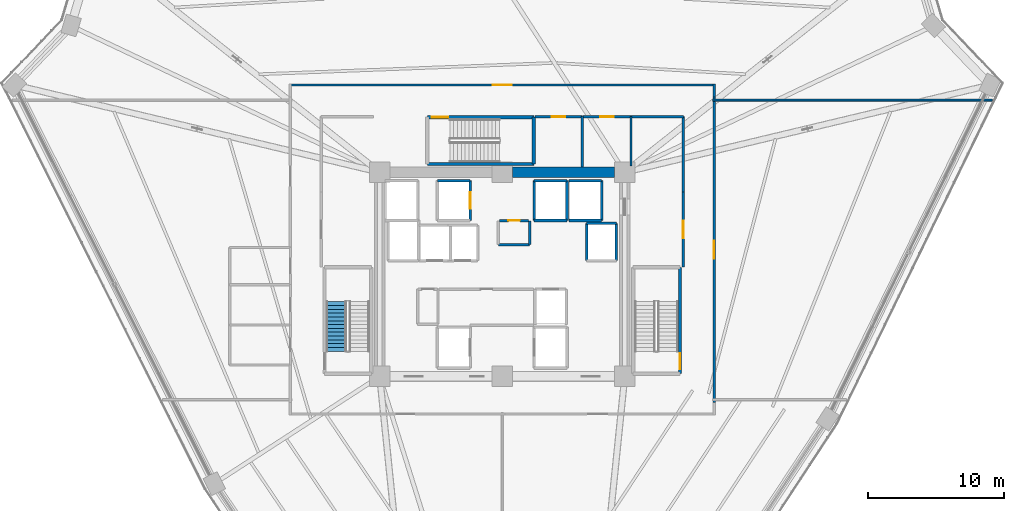
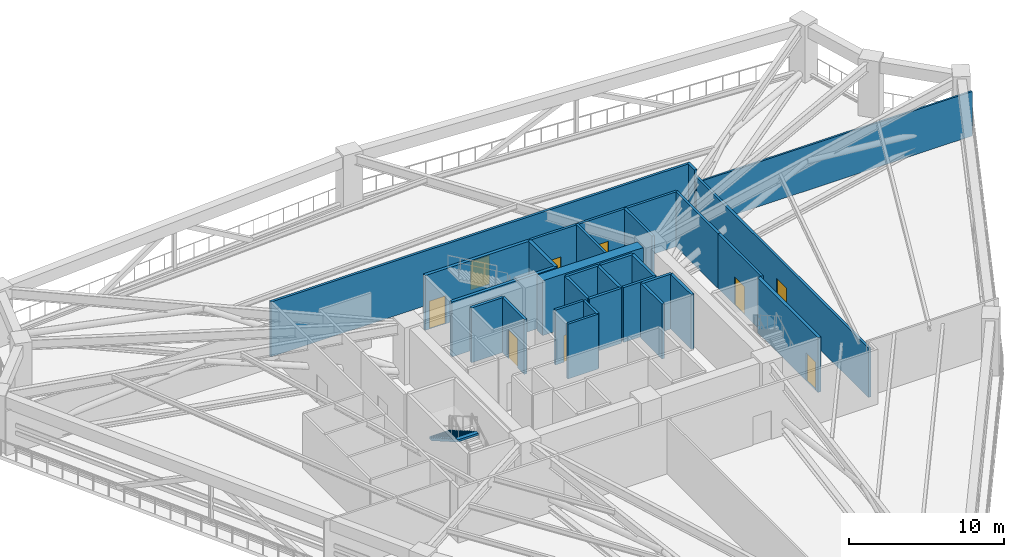
# One storey, part 17 of 23: 31 walls, 9 doors, 1 stair flight, 9 openings, 1 element without a shape of its own.
"""IFC4 building model written with IfcOpenShell, lengths in metres."""

from ifc_helpers import new_model, si_unit, direction, frame, frame_2d, origin, place, context, subcontext, project, spatial, polyline, rectangle, outline, extrude, source, transform, mapped, material, layer, layer_set, type_object, element, fill, aggregate, save


model = new_model("IFC4")

# Units and contexts
model_context = context("Model", 3, precision=1e-05, world=origin(), true_north=direction((0.0, 1.0)))
body_context = subcontext(model_context, "Body", "Model", "MODEL_VIEW")
ifc_project = project(units=[si_unit("LENGTHUNIT", "METRE"), si_unit("AREAUNIT", "SQUARE_METRE"), si_unit("VOLUMEUNIT", "CUBIC_METRE"), si_unit("PLANEANGLEUNIT", "RADIAN"), si_unit("MASSUNIT", "GRAM", prefix="KILO")], contexts=[model_context])

# Site, building, storey
site_placement = place(None, origin())
site = spatial("IfcSite", under=ifc_project, at=site_placement, CompositionType="ELEMENT")
building_placement = place(site_placement, origin())
building = spatial("IfcBuilding", under=site, at=building_placement, Name="Liaohun Quay Tower", CompositionType="ELEMENT")
storey_placement = place(building_placement, frame((0.0, 0.0, 139.5)))
storey = spatial("IfcBuildingStorey", under=building, at=storey_placement, Name="L36", CompositionType="ELEMENT", Elevation=139.5)

# Wall
ifc_material_1 = material(Name="Concrete C60", Category="concrete")
ifc_layer_1 = layer(ifc_material_1, 0.75, Name="Concrete C60", Category="concrete")
ifc_layer_set_1 = layer_set([ifc_layer_1], Name="Concrete C60")
wall_type_1 = type_object("IfcWallType", Name="WAL-COR-Z2", PredefinedType="SHEAR", material=ifc_layer_set_1)
wall_1_placement = place(storey_placement, frame((60.75, 61.5, 0.0), z_axis=(0.0, 0.0, 1.0), x_axis=(1.0, 0.0, 0.0)))
element("IfcWall", 1, at=wall_1_placement, inside=storey, type_object=wall_type_1, Name="L36 Central Core Shear Wall N-E", PredefinedType="SHEAR", context=body_context, shape_type="SweptSolid", body=[
    extrude(rectangle(XDim=7.5, YDim=0.75, at=frame_2d((3.75, 0.0))), origin(), (0.0, 0.0, 1.0), 4.320068359375),
])

# Wall, opening, door
ifc_material_2 = material(Name="Autoclaved aerated concrete blockwork", Category="masonry")
ifc_layer_2 = layer(ifc_material_2, 0.179931640625, Name="Autoclaved aerated concrete blockwork", Category="masonry")
ifc_layer_set_2 = layer_set([ifc_layer_2], Name="Autoclaved aerated concrete blockwork")
wall_type_2 = type_object("IfcWallType", Name="WAL-PRT-COR", PredefinedType="PARTITIONING", material=ifc_layer_set_2)
wall_2_placement = place(storey_placement, frame((59.81005859375, 57.949951171875, 0.0), z_axis=(0.0, 0.0, 1.0), x_axis=(1.0, 0.0, 0.0)))
wall_2 = element("IfcWall", 2, at=wall_2_placement, inside=storey, type_object=wall_type_2, Name="L36 Interior Partition Wall 002", PredefinedType="PARTITIONING", context=body_context, shape_type="SweptSolid", body=[
    extrude(rectangle(XDim=2.10986328125, YDim=0.179931640625, at=frame_2d((1.054931640625, 0.0))), origin(), (0.0, 0.0, 1.0), 4.320068359375),
])
shared_shape_1 = source(origin(), body_context, "Body", "SweptSolid", [
    extrude(rectangle(XDim=0.85009765625, YDim=2.10009765625, at=frame_2d((0.425048828125, 1.050048828125))), frame((0.0, 0.099853515625, 0.0), z_axis=(0.0, -1.0, 0.0), x_axis=(1.0, 0.0, 0.0)), (0.0, 0.0, 1.0), 0.199951171875),
])
opening_1_placement = place(wall_2_placement, frame((0.635009765625, 0.0, 0.0)))
opening_1 = element("IfcOpeningElement", 3, at=opening_1_placement, cuts=wall_2, Name="Opening AD1", PredefinedType="OPENING", context=body_context, shape_type="MappedRepresentation", body=[
    mapped(shared_shape_1, transform((0.0, 0.0, 0.0), x_axis=(1.0, 0.0, 0.0), y_axis=(0.0, 1.0, 0.0), z_axis=(0.0, 0.0, 1.0), scale=1.0)),
])
ifc_material_3 = material(Name="Steel riser inspection fire door", Category="steel")
door_type_1 = type_object("IfcDoorType", Name="DOR-SHF-850", OperationType="NOTDEFINED", PredefinedType="DOOR", material=ifc_material_3)
shared_shape_2 = source(origin(), body_context, "Body", "SweptSolid", [
    extrude(rectangle(XDim=0.85009765625, YDim=2.10009765625, at=frame_2d((0.425048828125, 1.050048828125))), frame((0.0, 0.02490234375, 0.0), z_axis=(0.0, -1.0, 0.0), x_axis=(1.0, 0.0, 0.0)), (0.0, 0.0, 1.0), 0.050048828125),
])
door_1_placement = place(opening_1_placement, origin())
door_1 = element("IfcDoor", 4, at=door_1_placement, inside=storey, type_object=door_type_1, Name="L36 Core Janitor and Cleaner Store Door", OperationType="SINGLE_SWING_RIGHT", OverallHeight=2.10009765625, OverallWidth=0.85009765625, PredefinedType="DOOR", context=body_context, shape_type="MappedRepresentation", body=[
    mapped(shared_shape_2, transform((0.0, 0.0, 0.0), x_axis=(1.0, 0.0, 0.0), y_axis=(0.0, 1.0, 0.0), z_axis=(0.0, 0.0, 1.0), scale=1.0)),
])
fill(opening_1, door_1)

wall_3_placement = place(storey_placement, frame((62.389892578125, 65.580078125, 0.0), z_axis=(0.0, 0.0, 1.0), x_axis=(1.0, 0.0, 0.0)))
wall_3 = element("IfcWall", 5, at=wall_3_placement, inside=storey, type_object=wall_type_2, Name="L36 Interior Partition Wall 007", PredefinedType="PARTITIONING", context=body_context, shape_type="SweptSolid", body=[
    extrude(rectangle(XDim=3.489990234375, YDim=0.179931640625, at=frame_2d((1.7451171875, 0.0))), origin(), (0.0, 0.0, 1.0), 4.320068359375),
])
shared_shape_3 = source(origin(), body_context, "Body", "SweptSolid", [
    extrude(rectangle(XDim=1.0, YDim=2.199951171875, at=frame_2d((0.5, 1.10009765625))), frame((0.0, 0.099853515625, 0.0), z_axis=(0.0, -1.0, 0.0), x_axis=(1.0, 0.0, 0.0)), (0.0, 0.0, 1.0), 0.199951171875),
])
opening_2_placement = place(wall_3_placement, frame((1.2451171875, 0.0, 0.0)))
opening_2 = element("IfcOpeningElement", 6, at=opening_2_placement, cuts=wall_3, Name="Opening OD1", PredefinedType="OPENING", context=body_context, shape_type="MappedRepresentation", body=[
    mapped(shared_shape_3, transform((0.0, 0.0, 0.0), x_axis=(1.0, 0.0, 0.0), y_axis=(0.0, 1.0, 0.0), z_axis=(0.0, 0.0, 1.0), scale=1.0)),
])
ifc_material_4 = material(Name="Solid-core oak veneer timber leaf in steel frame", Category="steel")
door_type_2 = type_object("IfcDoorType", Name="DOR-OFF-1000", OperationType="NOTDEFINED", PredefinedType="DOOR", material=ifc_material_4)
shared_shape_4 = source(origin(), body_context, "Body", "SweptSolid", [
    extrude(rectangle(XDim=1.0, YDim=2.199951171875, at=frame_2d((0.5, 1.10009765625))), frame((0.0, 0.02490234375, 0.0), z_axis=(0.0, -1.0, 0.0), x_axis=(1.0, 0.0, 0.0)), (0.0, 0.0, 1.0), 0.050048828125),
])
door_2_placement = place(opening_2_placement, origin())
door_2 = element("IfcDoor", 7, at=door_2_placement, inside=storey, type_object=door_type_2, Name="L36 North-East Archive Store Door", OperationType="SINGLE_SWING_LEFT", OverallHeight=2.199951171875, OverallWidth=1.0, PredefinedType="DOOR", context=body_context, shape_type="MappedRepresentation", body=[
    mapped(shared_shape_4, transform((0.0, 0.0, 0.0), x_axis=(1.0, 0.0, 0.0), y_axis=(0.0, 1.0, 0.0), z_axis=(0.0, 0.0, 1.0), scale=1.0)),
])
fill(opening_2, door_2)

wall_4_placement = place(storey_placement, frame((65.919921875, 65.580078125, 0.0), z_axis=(0.0, 0.0, 1.0), x_axis=(1.0, 0.0, 0.0)))
wall_4 = element("IfcWall", 8, at=wall_4_placement, inside=storey, type_object=wall_type_2, Name="L36 Interior Partition Wall 008", PredefinedType="PARTITIONING", context=body_context, shape_type="SweptSolid", body=[
    extrude(rectangle(XDim=3.5400390625, YDim=0.179931640625, at=frame_2d((1.77001953125, 0.0))), origin(), (0.0, 0.0, 1.0), 4.320068359375),
])
opening_3_placement = place(wall_4_placement, frame((1.27001953125, 0.0, 0.0)))
opening_3 = element("IfcOpeningElement", 9, at=opening_3_placement, cuts=wall_4, Name="Opening OD1", PredefinedType="OPENING", context=body_context, shape_type="MappedRepresentation", body=[
    mapped(shared_shape_3, transform((0.0, 0.0, 0.0), x_axis=(1.0, 0.0, 0.0), y_axis=(0.0, 1.0, 0.0), z_axis=(0.0, 0.0, 1.0), scale=1.0)),
])
door_3_placement = place(opening_3_placement, origin())
door_3 = element("IfcDoor", 10, at=door_3_placement, inside=storey, type_object=door_type_2, Name="L36 North-East Pantry Room Door", OperationType="SINGLE_SWING_RIGHT", OverallHeight=2.199951171875, OverallWidth=1.0, PredefinedType="DOOR", context=body_context, shape_type="MappedRepresentation", body=[
    mapped(shared_shape_4, transform((0.0, 0.0, 0.0), x_axis=(1.0, 0.0, 0.0), y_axis=(0.0, 1.0, 0.0), z_axis=(0.0, 0.0, 1.0), scale=1.0)),
])
fill(opening_3, door_3)

wall_5_placement = place(storey_placement, frame((73.300048828125, 54.5400390625, 0.0), z_axis=(0.0, 0.0, 1.0), x_axis=(0.0, 1.0, 0.0)))
wall_5 = element("IfcWall", 11, at=wall_5_placement, inside=storey, type_object=wall_type_2, Name="L36 Interior Partition Wall 010", PredefinedType="PARTITIONING", context=body_context, shape_type="SweptSolid", body=[
    extrude(rectangle(XDim=5.52001953125, YDim=0.179931640625, at=frame_2d((2.760009765625, 0.0))), origin(), (0.0, 0.0, 1.0), 4.320068359375),
])
shared_shape_5 = source(origin(), body_context, "Body", "SweptSolid", [
    extrude(rectangle(XDim=1.300048828125, YDim=2.199951171875, at=frame_2d((0.64990234375, 1.10009765625))), frame((0.0, 0.099853515625, 0.0), z_axis=(0.0, -1.0, 0.0), x_axis=(1.0, 0.0, 0.0)), (0.0, 0.0, 1.0), 0.199951171875),
])
opening_4_placement = place(wall_5_placement, frame((2.110107421875, 0.0, 0.0)))
opening_4 = element("IfcOpeningElement", 12, at=opening_4_placement, cuts=wall_5, Name="Opening FD1", PredefinedType="OPENING", context=body_context, shape_type="MappedRepresentation", body=[
    mapped(shared_shape_5, transform((0.0, 0.0, 0.0), x_axis=(1.0, 0.0, 0.0), y_axis=(0.0, 1.0, 0.0), z_axis=(0.0, 0.0, 1.0), scale=1.0)),
])
ifc_material_5 = material(Name="Galvanised steel smokeproof fire door", Category="steel")
door_type_3 = type_object("IfcDoorType", Name="DOR-FFL-1300", OperationType="NOTDEFINED", PredefinedType="DOOR", material=ifc_material_5)
shared_shape_6 = source(origin(), body_context, "Body", "SweptSolid", [
    extrude(rectangle(XDim=1.300048828125, YDim=2.199951171875, at=frame_2d((0.64990234375, 1.10009765625))), frame((0.0, 0.02490234375, 0.0), z_axis=(0.0, -1.0, 0.0), x_axis=(1.0, 0.0, 0.0)), (0.0, 0.0, 1.0), 0.050048828125),
])
door_4_placement = place(opening_4_placement, origin())
door_4 = element("IfcDoor", 13, at=door_4_placement, inside=storey, type_object=door_type_3, Name="L36 East Core Vestibule Door", OperationType="SINGLE_SWING_RIGHT", OverallHeight=2.199951171875, OverallWidth=1.300048828125, PredefinedType="DOOR", context=body_context, shape_type="MappedRepresentation", body=[
    mapped(shared_shape_6, transform((0.0, 0.0, 0.0), x_axis=(1.0, 0.0, 0.0), y_axis=(0.0, 1.0, 0.0), z_axis=(0.0, 0.0, 1.0), scale=1.0)),
])
fill(opening_4, door_4)

wall_6_placement = place(storey_placement, frame((75.56005859375, 67.014892578125, 0.0), z_axis=(0.0, 0.0, 1.0), x_axis=(0.0, -1.0, 0.0)))
wall_6 = element("IfcWall", 14, at=wall_6_placement, inside=storey, type_object=wall_type_2, Name="L36 Interior Partition Wall 011", PredefinedType="PARTITIONING", context=body_context, shape_type="SweptSolid", body=[
    extrude(rectangle(XDim=22.429931640625, YDim=0.179931640625, at=frame_2d((11.21484375, 0.0))), origin(), (0.0, 0.0, 1.0), 3.905029296875),
])
opening_5_placement = place(wall_6_placement, frame((10.56494140625, 0.0, 0.0)))
opening_5 = element("IfcOpeningElement", 15, at=opening_5_placement, cuts=wall_6, Name="Opening FD1", PredefinedType="OPENING", context=body_context, shape_type="MappedRepresentation", body=[
    mapped(shared_shape_5, transform((0.0, 0.0, 0.0), x_axis=(1.0, 0.0, 0.0), y_axis=(0.0, 1.0, 0.0), z_axis=(0.0, 0.0, 1.0), scale=1.0)),
])
door_5_placement = place(opening_5_placement, origin())
door_5 = element("IfcDoor", 16, at=door_5_placement, inside=storey, type_object=door_type_3, Name="L36 South Pressurised Fire Refuge Area Door", OperationType="SINGLE_SWING_LEFT", OverallHeight=2.199951171875, OverallWidth=1.300048828125, PredefinedType="DOOR", context=body_context, shape_type="MappedRepresentation", body=[
    mapped(shared_shape_6, transform((0.0, 0.0, 0.0), x_axis=(1.0, 0.0, 0.0), y_axis=(0.0, 1.0, 0.0), z_axis=(0.0, 0.0, 1.0), scale=1.0)),
])
fill(opening_5, door_5)

wall_7_placement = place(storey_placement, frame((44.3701171875, 67.909912109375, 0.0), z_axis=(0.0, 0.0, 1.0), x_axis=(1.0, 0.0, 0.0)))
wall_7 = element("IfcWall", 17, at=wall_7_placement, inside=storey, type_object=wall_type_2, Name="L36 Interior Partition Wall 012", PredefinedType="PARTITIONING", context=body_context, shape_type="SweptSolid", body=[
    extrude(rectangle(XDim=31.259765625, YDim=0.179931640625, at=frame_2d((15.6298828125, 0.0))), origin(), (0.0, 0.0, 1.0), 4.320068359375),
])
shared_shape_7 = source(origin(), body_context, "Body", "SweptSolid", [
    extrude(rectangle(XDim=1.39990234375, YDim=2.25, at=frame_2d((0.699951171875, 1.125))), frame((0.0, 0.099853515625, 0.0), z_axis=(0.0, -1.0, 0.0), x_axis=(1.0, 0.0, 0.0)), (0.0, 0.0, 1.0), 0.199951171875),
])
opening_6_placement = place(wall_7_placement, frame((14.929931640625, 0.0, 0.0)))
opening_6 = element("IfcOpeningElement", 18, at=opening_6_placement, cuts=wall_7, Name="Opening MD1", PredefinedType="OPENING", context=body_context, shape_type="MappedRepresentation", body=[
    mapped(shared_shape_7, transform((0.0, 0.0, 0.0), x_axis=(1.0, 0.0, 0.0), y_axis=(0.0, 1.0, 0.0), z_axis=(0.0, 0.0, 1.0), scale=1.0)),
])
ifc_material_6 = material(Name="Insulated steel plant room door", Category="steel")
door_type_4 = type_object("IfcDoorType", Name="DOR-MEP-1400", OperationType="DOUBLE_DOOR_SINGLE_SWING", PredefinedType="DOOR", material=ifc_material_6)
shared_shape_8 = source(origin(), body_context, "Body", "SweptSolid", [
    extrude(rectangle(XDim=1.39990234375, YDim=2.25, at=frame_2d((0.699951171875, 1.125))), frame((0.0, 0.02490234375, 0.0), z_axis=(0.0, -1.0, 0.0), x_axis=(1.0, 0.0, 0.0)), (0.0, 0.0, 1.0), 0.050048828125),
])
door_6_placement = place(opening_6_placement, origin())
door_6 = element("IfcDoor", 19, at=door_6_placement, inside=storey, type_object=door_type_4, Name="L36 Southwest Zone Electrical Switch Plant Room Door", OperationType="DOUBLE_DOOR_SINGLE_SWING", OverallHeight=2.25, OverallWidth=1.39990234375, PredefinedType="DOOR", context=body_context, shape_type="MappedRepresentation", body=[
    mapped(shared_shape_8, transform((0.0, 0.0, 0.0), x_axis=(1.0, 0.0, 0.0), y_axis=(0.0, 1.0, 0.0), z_axis=(0.0, 0.0, 1.0), scale=1.0)),
])
fill(opening_6, door_6)

# Walls
wall_8_placement = place(storey_placement, frame((62.010009765625, 56.179931640625, 0.0), z_axis=(0.0, 0.0, 1.0), x_axis=(0.0, 1.0, 0.0)))
element("IfcWall", 20, at=wall_8_placement, inside=storey, type_object=wall_type_2, Name="L36 Interior Partition Wall 017", PredefinedType="PARTITIONING", context=body_context, shape_type="SweptSolid", body=[
    extrude(rectangle(XDim=1.739990234375, YDim=0.179931640625, at=frame_2d((0.8701171875, 0.0))), origin(), (0.0, 0.0, 1.0), 4.320068359375),
])
wall_9_placement = place(storey_placement, frame((59.719970703125, 56.179931640625, 0.0), z_axis=(0.0, 0.0, 1.0), x_axis=(1.0, 0.0, 0.0)))
element("IfcWall", 21, at=wall_9_placement, inside=storey, type_object=wall_type_2, Name="L36 Interior Partition Wall 018", PredefinedType="PARTITIONING", context=body_context, shape_type="SweptSolid", body=[
    extrude(rectangle(XDim=2.2900390625, YDim=0.179931640625, at=frame_2d((1.14501953125, 0.0))), origin(), (0.0, 0.0, 1.0), 4.320068359375),
])
wall_10_placement = place(storey_placement, frame((65.8798828125, 61.875, 0.0), z_axis=(0.0, 0.0, 1.0), x_axis=(0.0, 1.0, 0.0)))
element("IfcWall", 22, at=wall_10_placement, inside=storey, type_object=wall_type_2, Name="L36 Interior Partition Wall 027", PredefinedType="PARTITIONING", context=body_context, shape_type="SweptSolid", body=[
    extrude(rectangle(XDim=3.705078125, YDim=0.179931640625, at=frame_2d((1.8525390625, 0.0))), origin(), (0.0, 0.0, 1.0), 4.320068359375),
])
wall_11_placement = place(storey_placement, frame((69.4599609375, 61.949951171875, 0.0), z_axis=(0.0, 0.0, 1.0), x_axis=(0.0, 1.0, 0.0)))
element("IfcWall", 23, at=wall_11_placement, inside=storey, type_object=wall_type_2, Name="L36 Interior Partition Wall 028", PredefinedType="PARTITIONING", context=body_context, shape_type="SweptSolid", body=[
    extrude(rectangle(XDim=3.630126953125, YDim=0.179931640625, at=frame_2d((1.81494140625, 0.0))), origin(), (0.0, 0.0, 1.0), 4.320068359375),
])
wall_12_placement = place(storey_placement, frame((69.4599609375, 65.580078125, 0.0), z_axis=(0.0, 0.0, 1.0), x_axis=(1.0, 0.0, 0.0)))
element("IfcWall", 24, at=wall_12_placement, inside=storey, type_object=wall_type_2, Name="L36 Interior Partition Wall 030", PredefinedType="PARTITIONING", context=body_context, shape_type="SweptSolid", body=[
    extrude(rectangle(XDim=3.840087890625, YDim=0.179931640625, at=frame_2d((1.919921875, 0.0))), origin(), (0.0, 0.0, 1.0), 4.320068359375),
])
wall_13_placement = place(storey_placement, frame((73.300048828125, 60.06005859375, 0.0), z_axis=(0.0, 0.0, 1.0), x_axis=(0.0, 1.0, 0.0)))
element("IfcWall", 25, at=wall_13_placement, inside=storey, type_object=wall_type_2, Name="L36 Interior Partition Wall 032", PredefinedType="PARTITIONING", context=body_context, shape_type="SweptSolid", body=[
    extrude(rectangle(XDim=5.52001953125, YDim=0.179931640625, at=frame_2d((2.760009765625, 0.0))), origin(), (0.0, 0.0, 1.0), 4.320068359375),
])
wall_14_placement = place(storey_placement, frame((75.56005859375, 67.97998046875, 0.0), z_axis=(0.0, 0.0, 1.0), x_axis=(0.0, -1.0, 0.0)))
element("IfcWall", 26, at=wall_14_placement, inside=storey, type_object=wall_type_2, Name="L36 Interior Partition Wall 034", PredefinedType="PARTITIONING", context=body_context, shape_type="SweptSolid", body=[
    extrude(rectangle(XDim=0.965087890625, YDim=0.179931640625, at=frame_2d((0.482421875, 0.0))), origin(), (0.0, 0.0, 1.0), 4.320068359375),
])
ifc_material_7 = material(Name="Gypsum board on twin steel studs", Category="steel")
ifc_layer_3 = layer(ifc_material_7, 0.139892578125, Name="Gypsum board on twin steel studs", Category="steel")
ifc_layer_set_3 = layer_set([ifc_layer_3], Name="Gypsum board on twin steel studs")
wall_type_3 = type_object("IfcWallType", Name="WAL-PRT-OFF", PredefinedType="PARTITIONING", material=ifc_layer_set_3)
wall_15_placement = place(storey_placement, frame((75.4599609375, 66.800048828125, 0.0), z_axis=(0.0, 0.0, 1.0), x_axis=(1.0, 0.0, 0.0)))
element("IfcWall", 27, at=wall_15_placement, inside=storey, type_object=wall_type_3, Name="L36 Interior Partition Wall 041", PredefinedType="PARTITIONING", context=body_context, shape_type="SweptSolid", body=[
    extrude(rectangle(XDim=20.5380859375, YDim=0.139892578125, at=frame_2d((10.26904296875, 0.0))), origin(), (0.0, 0.0, 1.0), 3.5048828125),
])

# Wall, opening, door
ifc_material_8 = material(Name="Concrete C50", Category="concrete")
ifc_layer_4 = layer(ifc_material_8, 0.239990234375, Name="Concrete C50", Category="concrete")
ifc_layer_set_4 = layer_set([ifc_layer_4], Name="Concrete C50")
wall_type_4 = type_object("IfcWallType", Name="WAL-SHF-200", PredefinedType="SOLIDWALL", material=ifc_layer_set_4)
wall_16_placement = place(storey_placement, frame((73.06005859375, 46.699951171875, 0.0), z_axis=(0.0, 0.0, 1.0), x_axis=(0.0, 1.0, 0.0)))
wall_16 = element("IfcWall", 28, at=wall_16_placement, inside=storey, type_object=wall_type_4, Name="L36 Stairwell ST-2 Structural Core Wall E", PredefinedType="SOLIDWALL", context=body_context, shape_type="SweptSolid", body=[
    extrude(rectangle(XDim=7.820068359375, YDim=0.239990234375, at=frame_2d((3.91015625, 0.0))), origin(), (0.0, 0.0, 1.0), 4.320068359375),
])
shared_shape_9 = source(origin(), body_context, "Body", "SweptSolid", [
    extrude(rectangle(XDim=1.199951171875, YDim=2.199951171875, at=frame_2d((0.60009765625, 1.10009765625))), frame((0.0, 0.1298828125, 0.0), z_axis=(0.0, -1.0, 0.0), x_axis=(1.0, 0.0, 0.0)), (0.0, 0.0, 1.0), 0.260009765625),
])
opening_7_placement = place(wall_16_placement, frame((0.320068359375, 0.0, 0.0)))
opening_7 = element("IfcOpeningElement", 29, at=opening_7_placement, cuts=wall_16, Name="Opening SD1", PredefinedType="OPENING", context=body_context, shape_type="MappedRepresentation", body=[
    mapped(shared_shape_9, transform((0.0, 0.0, 0.0), x_axis=(1.0, 0.0, 0.0), y_axis=(0.0, 1.0, 0.0), z_axis=(0.0, 0.0, 1.0), scale=1.0)),
])
ifc_material_9 = material(Name="Galvanised steel fire door", Category="steel")
door_type_5 = type_object("IfcDoorType", Name="DOR-STR-1200", OperationType="NOTDEFINED", PredefinedType="DOOR", material=ifc_material_9)
shared_shape_10 = source(origin(), body_context, "Body", "SweptSolid", [
    extrude(rectangle(XDim=1.199951171875, YDim=2.199951171875, at=frame_2d((0.60009765625, 1.10009765625))), frame((0.0, 0.02490234375, 0.0), z_axis=(0.0, -1.0, 0.0), x_axis=(1.0, 0.0, 0.0)), (0.0, 0.0, 1.0), 0.050048828125),
])
door_7_placement = place(opening_7_placement, origin())
door_7 = element("IfcDoor", 30, at=door_7_placement, inside=storey, type_object=door_type_5, Name="L36 Protected Stair ST-2 Fire Door", OperationType="SINGLE_SWING_RIGHT", OverallHeight=2.199951171875, OverallWidth=1.199951171875, PredefinedType="DOOR", context=body_context, shape_type="MappedRepresentation", body=[
    mapped(shared_shape_10, transform((0.0, 0.0, 0.0), x_axis=(1.0, 0.0, 0.0), y_axis=(0.0, 1.0, 0.0), z_axis=(0.0, 0.0, 1.0), scale=1.0)),
])
fill(opening_7, door_7)

# Walls
wall_17_placement = place(storey_placement, frame((54.5, 62.10009765625, 0.0), z_axis=(0.0, 0.0, 1.0), x_axis=(1.0, 0.0, 0.0)))
element("IfcWall", 31, at=wall_17_placement, inside=storey, type_object=wall_type_4, Name="L36 Stairwell ST-3 Structural Core Wall S", PredefinedType="SOLIDWALL", context=body_context, shape_type="SweptSolid", body=[
    extrude(rectangle(XDim=7.820068359375, YDim=0.239990234375, at=frame_2d((3.91015625, 0.0))), origin(), (0.0, 0.0, 1.0), 4.320068359375),
])
wall_18_placement = place(storey_placement, frame((62.320068359375, 62.10009765625, 0.0), z_axis=(0.0, 0.0, 1.0), x_axis=(0.0, 1.0, 0.0)))
element("IfcWall", 32, at=wall_18_placement, inside=storey, type_object=wall_type_4, Name="L36 Stairwell ST-3 Structural Core Wall E", PredefinedType="SOLIDWALL", context=body_context, shape_type="SweptSolid", body=[
    extrude(rectangle(XDim=3.43994140625, YDim=0.239990234375, at=frame_2d((1.719970703125, 0.0))), origin(), (0.0, 0.0, 1.0), 4.320068359375),
])

# Wall, opening, door
wall_19_placement = place(storey_placement, frame((62.320068359375, 65.5400390625, 0.0), z_axis=(0.0, 0.0, 1.0), x_axis=(-1.0, 0.0, 0.0)))
wall_19 = element("IfcWall", 33, at=wall_19_placement, inside=storey, type_object=wall_type_4, Name="L36 Stairwell ST-3 Structural Core Wall N", PredefinedType="SOLIDWALL", context=body_context, shape_type="SweptSolid", body=[
    extrude(rectangle(XDim=7.820068359375, YDim=0.239990234375, at=frame_2d((3.91015625, 0.0))), origin(), (0.0, 0.0, 1.0), 4.320068359375),
])
opening_8_placement = place(wall_19_placement, frame((6.300048828125, 0.0, 0.0)))
opening_8 = element("IfcOpeningElement", 34, at=opening_8_placement, cuts=wall_19, Name="Opening SD1", PredefinedType="OPENING", context=body_context, shape_type="MappedRepresentation", body=[
    mapped(shared_shape_9, transform((0.0, 0.0, 0.0), x_axis=(1.0, 0.0, 0.0), y_axis=(0.0, 1.0, 0.0), z_axis=(0.0, 0.0, 1.0), scale=1.0)),
])
door_8_placement = place(opening_8_placement, origin())
door_8 = element("IfcDoor", 35, at=door_8_placement, inside=storey, type_object=door_type_5, Name="L36 Protected Stair ST-3 Fire Door", OperationType="SINGLE_SWING_RIGHT", OverallHeight=2.199951171875, OverallWidth=1.199951171875, PredefinedType="DOOR", context=body_context, shape_type="MappedRepresentation", body=[
    mapped(shared_shape_10, transform((0.0, 0.0, 0.0), x_axis=(1.0, 0.0, 0.0), y_axis=(0.0, 1.0, 0.0), z_axis=(0.0, 0.0, 1.0), scale=1.0)),
])
fill(opening_8, door_8)

wall_20_placement = place(storey_placement, frame((57.64990234375, 57.949951171875, 0.0), z_axis=(0.0, 0.0, 1.0), x_axis=(0.0, 1.0, 0.0)))
wall_20 = element("IfcWall", 36, at=wall_20_placement, inside=storey, type_object=wall_type_4, Name="L36 Lift FF-03 Hoistway Wall E", PredefinedType="SOLIDWALL", context=body_context, shape_type="SweptSolid", body=[
    extrude(rectangle(XDim=2.929931640625, YDim=0.199951171875, at=frame_2d((1.46484375, 0.0))), origin(), (0.0, 0.0, 1.0), 4.320068359375),
])
shared_shape_11 = source(origin(), body_context, "Body", "SweptSolid", [
    extrude(rectangle(XDim=1.199951171875, YDim=2.300048828125, at=frame_2d((0.60009765625, 1.14990234375))), frame((0.0, 0.10986328125, 0.0), z_axis=(0.0, -1.0, 0.0), x_axis=(1.0, 0.0, 0.0)), (0.0, 0.0, 1.0), 0.219970703125),
])
opening_9_placement = place(wall_20_placement, frame((0.864990234375, 0.0, 0.0)))
opening_9 = element("IfcOpeningElement", 37, at=opening_9_placement, cuts=wall_20, Name="Opening LD2", PredefinedType="OPENING", context=body_context, shape_type="MappedRepresentation", body=[
    mapped(shared_shape_11, transform((0.0, 0.0, 0.0), x_axis=(1.0, 0.0, 0.0), y_axis=(0.0, 1.0, 0.0), z_axis=(0.0, 0.0, 1.0), scale=1.0)),
])
ifc_material_10 = material(Name="Brushed stainless steel stretcher landing door", Category="steel")
door_type_6 = type_object("IfcDoorType", Name="DOR-LFT-1200", OperationType="SLIDING_TO_LEFT", PredefinedType="DOOR", material=ifc_material_10)
shared_shape_12 = source(origin(), body_context, "Body", "SweptSolid", [
    extrude(rectangle(XDim=1.199951171875, YDim=2.300048828125, at=frame_2d((0.60009765625, 1.14990234375))), frame((0.0, 0.02490234375, 0.0), z_axis=(0.0, -1.0, 0.0), x_axis=(1.0, 0.0, 0.0)), (0.0, 0.0, 1.0), 0.050048828125),
])
door_9_placement = place(opening_9_placement, origin())
door_9 = element("IfcDoor", 38, at=door_9_placement, inside=storey, type_object=door_type_6, Name="L36 Lift FF-03 Sliding Landing Door", OperationType="SLIDING_TO_LEFT", OverallHeight=2.300048828125, OverallWidth=1.199951171875, PredefinedType="DOOR", context=body_context, shape_type="MappedRepresentation", body=[
    mapped(shared_shape_12, transform((0.0, 0.0, 0.0), x_axis=(1.0, 0.0, 0.0), y_axis=(0.0, 1.0, 0.0), z_axis=(0.0, 0.0, 1.0), scale=1.0)),
])
fill(opening_9, door_9)

# Walls
for number, where, z_axis, x_axis, name in (
    (39, (57.64990234375, 60.8798828125, 0.0), (0.0, 0.0, 1.0), (-1.0, 0.0, 0.0), "L36 Lift FF-03 Hoistway Wall N"),
    (40, (62.35009765625, 57.949951171875, 0.0), (0.0, 0.0, 1.0), (1.0, 0.0, 0.0), "L36 Lift OB-01 Hoistway Wall S"),
):
    element("IfcWall", number, at=place(storey_placement, frame(where, z_axis=z_axis, x_axis=x_axis)), inside=storey, type_object=wall_type_4, Name=name, PredefinedType="SOLIDWALL", context=body_context, shape_type="SweptSolid", body=[
        extrude(rectangle(XDim=2.39990234375, YDim=0.199951171875, at=frame_2d((1.199951171875, 0.0))), origin(), (0.0, 0.0, 1.0), 4.320068359375),
    ])
wall_21_placement = place(storey_placement, frame((64.75, 57.949951171875, 0.0), z_axis=(0.0, 0.0, 1.0), x_axis=(0.0, 1.0, 0.0)))
element("IfcWall", 41, at=wall_21_placement, inside=storey, type_object=wall_type_4, Name="L36 Lift OB-01 Hoistway Wall E", PredefinedType="SOLIDWALL", context=body_context, shape_type="SweptSolid", body=[
    extrude(rectangle(XDim=2.929931640625, YDim=0.199951171875, at=frame_2d((1.46484375, 0.0))), origin(), (0.0, 0.0, 1.0), 4.320068359375),
])
wall_22_placement = place(storey_placement, frame((64.75, 60.8798828125, 0.0), z_axis=(0.0, 0.0, 1.0), x_axis=(-1.0, 0.0, 0.0)))
element("IfcWall", 42, at=wall_22_placement, inside=storey, type_object=wall_type_4, Name="L36 Lift OB-01 Hoistway Wall N", PredefinedType="SOLIDWALL", context=body_context, shape_type="SweptSolid", body=[
    extrude(rectangle(XDim=2.39990234375, YDim=0.199951171875, at=frame_2d((1.199951171875, 0.0))), origin(), (0.0, 0.0, 1.0), 4.320068359375),
])
wall_23_placement = place(storey_placement, frame((62.35009765625, 60.8798828125, 0.0), z_axis=(0.0, 0.0, 1.0), x_axis=(0.0, -1.0, 0.0)))
element("IfcWall", 43, at=wall_23_placement, inside=storey, type_object=wall_type_4, Name="L36 Lift OB-01 Hoistway Wall W", PredefinedType="SOLIDWALL", context=body_context, shape_type="SweptSolid", body=[
    extrude(rectangle(XDim=2.929931640625, YDim=0.199951171875, at=frame_2d((1.46484375, 0.0))), origin(), (0.0, 0.0, 1.0), 4.320068359375),
])
wall_24_placement = place(storey_placement, frame((64.89990234375, 57.949951171875, 0.0), z_axis=(0.0, 0.0, 1.0), x_axis=(1.0, 0.0, 0.0)))
element("IfcWall", 44, at=wall_24_placement, inside=storey, type_object=wall_type_4, Name="L36 Lift OB-02 Hoistway Wall S", PredefinedType="SOLIDWALL", context=body_context, shape_type="SweptSolid", body=[
    extrude(rectangle(XDim=2.400146484375, YDim=0.199951171875, at=frame_2d((1.2001953125, 0.0))), origin(), (0.0, 0.0, 1.0), 4.320068359375),
])
wall_25_placement = place(storey_placement, frame((67.300048828125, 57.949951171875, 0.0), z_axis=(0.0, 0.0, 1.0), x_axis=(0.0, 1.0, 0.0)))
element("IfcWall", 45, at=wall_25_placement, inside=storey, type_object=wall_type_4, Name="L36 Lift OB-02 Hoistway Wall E", PredefinedType="SOLIDWALL", context=body_context, shape_type="SweptSolid", body=[
    extrude(rectangle(XDim=2.929931640625, YDim=0.199951171875, at=frame_2d((1.46484375, 0.0))), origin(), (0.0, 0.0, 1.0), 4.320068359375),
])
wall_26_placement = place(storey_placement, frame((67.300048828125, 60.8798828125, 0.0), z_axis=(0.0, 0.0, 1.0), x_axis=(-1.0, 0.0, 0.0)))
element("IfcWall", 46, at=wall_26_placement, inside=storey, type_object=wall_type_4, Name="L36 Lift OB-02 Hoistway Wall N", PredefinedType="SOLIDWALL", context=body_context, shape_type="SweptSolid", body=[
    extrude(rectangle(XDim=2.400146484375, YDim=0.199951171875, at=frame_2d((1.2001953125, 0.0))), origin(), (0.0, 0.0, 1.0), 4.320068359375),
])
wall_27_placement = place(storey_placement, frame((68.3798828125, 55.0, 0.0), z_axis=(0.0, 0.0, 1.0), x_axis=(0.0, 1.0, 0.0)))
element("IfcWall", 47, at=wall_27_placement, inside=storey, type_object=wall_type_4, Name="L36 Lift SH-03 Hoistway Wall E", PredefinedType="SOLIDWALL", context=body_context, shape_type="SweptSolid", body=[
    extrude(rectangle(XDim=2.75, YDim=0.199951171875, at=frame_2d((1.375, 0.0))), origin(), (0.0, 0.0, 1.0), 4.320068359375),
])
wall_28_placement = place(storey_placement, frame((68.3798828125, 57.75, 0.0), z_axis=(0.0, 0.0, 1.0), x_axis=(-1.0, 0.0, 0.0)))
element("IfcWall", 48, at=wall_28_placement, inside=storey, type_object=wall_type_4, Name="L36 Lift SH-03 Hoistway Wall N", PredefinedType="SOLIDWALL", context=body_context, shape_type="SweptSolid", body=[
    extrude(rectangle(XDim=2.179931640625, YDim=0.199951171875, at=frame_2d((1.08984375, 0.0))), origin(), (0.0, 0.0, 1.0), 4.320068359375),
])
wall_29_placement = place(storey_placement, frame((66.199951171875, 57.75, 0.0), z_axis=(0.0, 0.0, 1.0), x_axis=(0.0, -1.0, 0.0)))
element("IfcWall", 49, at=wall_29_placement, inside=storey, type_object=wall_type_4, Name="L36 Lift SH-03 Hoistway Wall W", PredefinedType="SOLIDWALL", context=body_context, shape_type="SweptSolid", body=[
    extrude(rectangle(XDim=2.75, YDim=0.199951171875, at=frame_2d((1.375, 0.0))), origin(), (0.0, 0.0, 1.0), 4.320068359375),
])

# Stair, stair flight
ifc_material_11 = material(Name="Concrete C45", Category="concrete")
stair_type = type_object("IfcStairType", Name="STR-CORE-TALL", PredefinedType="HALF_TURN_STAIR", material=ifc_material_11)
stair_placement = place(storey_placement, origin())
stair = element("IfcStair", 50, at=stair_placement, inside=storey, type_object=stair_type, Name="L36 Smokeproof Core Exit Stair ST-1", PredefinedType="HALF_TURN_STAIR")
stair_flight_type = type_object("IfcStairFlightType", Name="FLT-CORE-155", PredefinedType="STRAIGHT", material=ifc_material_11)
stair_flight_placement = place(storey_placement, frame((47.81494140625, 51.989990234375, 2.25), z_axis=(0.0, 0.0, 1.0), x_axis=(0.0, -1.0, 0.0)))
stair_flight = element("IfcStairFlight", 51, at=stair_flight_placement, type_object=stair_flight_type, Name="ST-1 flight 2", NumberOfRisers=14, NumberOfTreads=13, PredefinedType="STRAIGHT", RiserHeight=0.160714286, TreadLength=0.28, context=body_context, shape_type="SweptSolid", body=[
    extrude(outline(polyline([(0.0, 0.0), (0.0, 0.16064453125), (0.280029296875, 0.16064453125), (0.280029296875, 0.321533203125), (0.56005859375, 0.321533203125), (0.56005859375, 0.482177734375), (0.840087890625, 0.482177734375), (0.840087890625, 0.642822265625), (1.1201171875, 0.642822265625), (1.1201171875, 0.803466796875), (1.39990234375, 0.803466796875), (1.39990234375, 0.96435546875), (1.679931640625, 0.96435546875), (1.679931640625, 1.125), (1.9599609375, 1.125), (1.9599609375, 1.28564453125), (2.239990234375, 1.28564453125), (2.239990234375, 1.446533203125), (2.52001953125, 1.446533203125), (2.52001953125, 1.607177734375), (2.800048828125, 1.607177734375), (2.800048828125, 1.767822265625), (3.080078125, 1.767822265625), (3.080078125, 1.928466796875), (3.360107421875, 1.928466796875), (3.360107421875, 2.08935546875), (3.639892578125, 2.08935546875), (3.639892578125, 2.25), (3.639892578125, 1.91650390625), (0.301025390625, 0.0), (0.0, 0.0)])), frame((0.0, 0.77490234375, 0.0), z_axis=(0.0, -1.0, 0.0), x_axis=(1.0, 0.0, 0.0)), (0.0, 0.0, 1.0), 1.550048828125),
])
aggregate(stair, [stair_flight])

save(model, "model.ifc")
